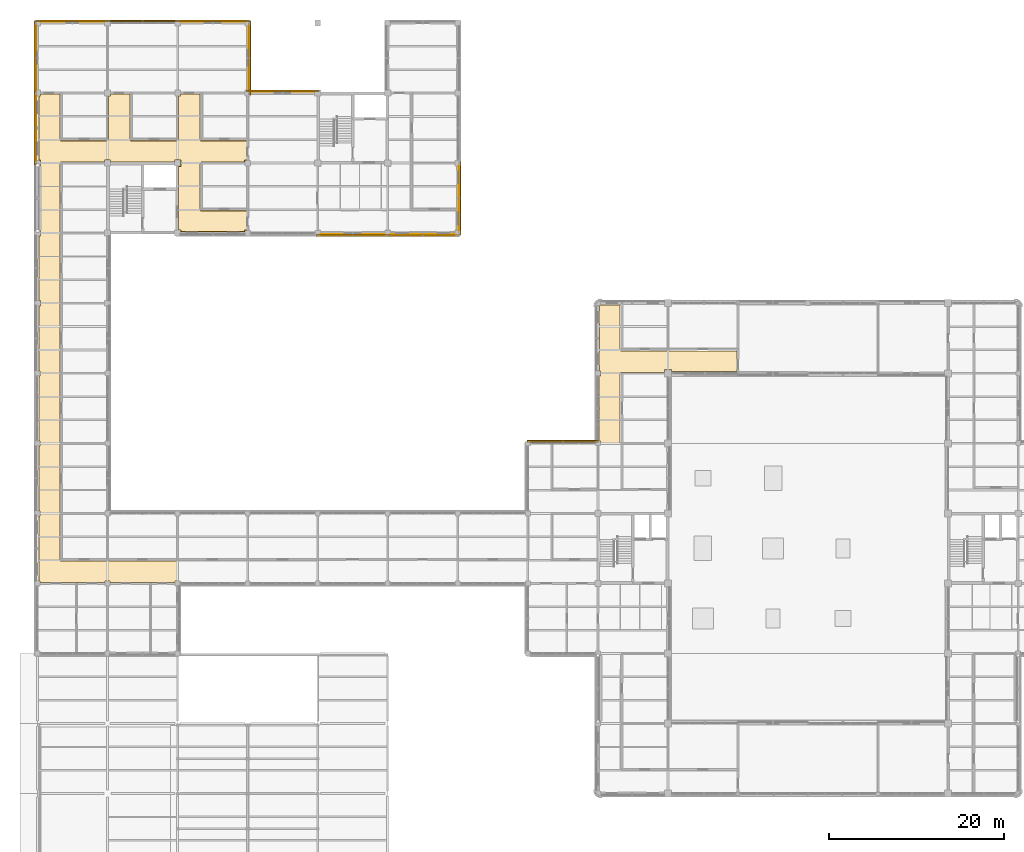
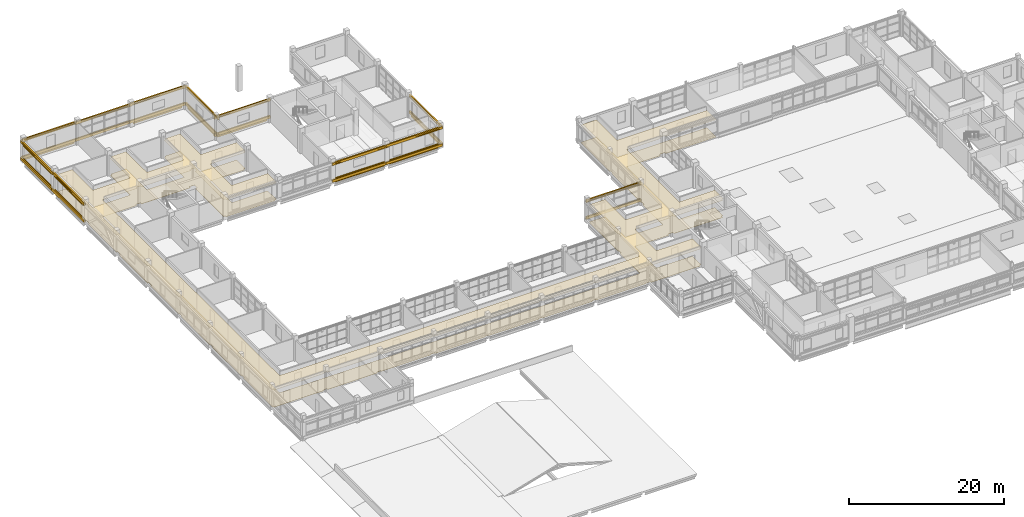
# One storey, part 100 of 107: 33 coverings, 13 shading devices.
"""IFC4 building model written with IfcOpenShell, lengths in metres."""

from ifc_helpers import new_model, si_unit, derived_unit, direction, frame, origin, origin_2d, place, context, subcontext, project, spatial, polyline, rectangle, circle, outline, extrude, material, layer, layer_set, material_profile, profile_set, type_object, element, save


model = new_model("IFC4")

# Units and contexts
model_context = context("Model", 3, precision=1e-05, world=origin(), true_north=direction((0.0, 1.0)))
body_context = subcontext(model_context, "Body", "Model", "MODEL_VIEW")
ifc_project = project(units=[si_unit("LENGTHUNIT", "METRE"), si_unit("AREAUNIT", "SQUARE_METRE"), si_unit("VOLUMEUNIT", "CUBIC_METRE"), si_unit("PLANEANGLEUNIT", "RADIAN"), si_unit("MASSUNIT", "GRAM", prefix="KILO"), derived_unit("THERMALTRANSMITTANCEUNIT", [(si_unit("MASSUNIT", "GRAM", prefix="KILO"), 1), (si_unit("TIMEUNIT", "SECOND"), -3), (si_unit("THERMODYNAMICTEMPERATUREUNIT", "KELVIN"), -1)])], contexts=[model_context])

# Site, building, storey
site_placement = place(None, origin())
site = spatial("IfcSite", under=ifc_project, at=site_placement, CompositionType="ELEMENT")
building_placement = place(site_placement, origin())
building = spatial("IfcBuilding", under=site, at=building_placement, Name="Veyamyaing Civic Hall", CompositionType="ELEMENT")
storey_placement = place(building_placement, frame((0.0, 0.0, 13.860107421875)))
storey = spatial("IfcBuildingStorey", under=building, at=storey_placement, Name="L03", CompositionType="ELEMENT", Elevation=13.860107421875)

# Coverings
ifc_material_1 = material(Name="Buff sandstone ashlar cladding", Category="masonry")
ifc_layer_1 = layer(ifc_material_1, 0.050048828125, Name="Buff sandstone ashlar cladding")
ifc_layer_set_1 = layer_set([ifc_layer_1], Name="Buff sandstone ashlar cladding")
covering_type_1 = type_object("IfcCoveringType", Name="CL-01", PredefinedType="CLADDING", material=ifc_layer_set_1)
for number, where, z_axis, x_axis, name in (
    (1, (4.0, 112.160888671875, 0.044921875), (0.0, 0.0, 1.0), (1.0, 0.0, 0.0), "Facade spandrel cladding CL-01 L03 N 1.14"),
    (2, (-0.160888671875, 108.0, 0.044921875), (0.0, 0.0, 1.0), (0.0, 1.0, 0.0), "Facade spandrel cladding CL-01 L03 W 1.14"),
    (3, (20.0, 112.160888671875, 0.044921875), (0.0, 0.0, 1.0), (1.0, 0.0, 0.0), "Facade spandrel cladding CL-01 L03 N 3.14"),
    (4, (24.160888671875, 108.0, 0.044921875), (0.0, 0.0, 1.0), (0.0, 1.0, 0.0), "Facade spandrel cladding CL-01 L03 E 3.14"),
):
    element("IfcCovering", number, at=place(storey_placement, frame(where, z_axis=z_axis, x_axis=x_axis)), inside=storey, type_object=covering_type_1, Name=name, PredefinedType="CLADDING", context=body_context, shape_type="SweptSolid", body=[
        extrude(rectangle(XDim=7.300048828125, YDim=0.050048828125, at=origin_2d()), origin(), (0.0, 0.0, 1.0), 0.75),
    ])
covering_1_placement = place(storey_placement, frame((27.987548828125, 104.160888671875, 0.044921875), z_axis=(0.0, 0.0, 1.0), x_axis=(1.0, 0.0, 0.0)))
element("IfcCovering", 5, at=covering_1_placement, inside=storey, type_object=covering_type_1, Name="Facade spandrel cladding CL-01 L03 N 4.13", PredefinedType="CLADDING", context=body_context, shape_type="SweptSolid", body=[
    extrude(rectangle(XDim=7.27490234375, YDim=0.050048828125, at=origin_2d()), origin(), (0.0, 0.0, 1.0), 0.75),
])
covering_2_placement = place(storey_placement, frame((36.0, 87.839111328125, 0.044921875), z_axis=(0.0, 0.0, 1.0), x_axis=(1.0, 0.0, 0.0)))
element("IfcCovering", 6, at=covering_2_placement, inside=storey, type_object=covering_type_1, Name="Facade spandrel cladding CL-01 L03 S 5.12", PredefinedType="CLADDING", context=body_context, shape_type="SweptSolid", body=[
    extrude(rectangle(XDim=7.300048828125, YDim=0.050048828125, at=origin_2d()), origin(), (0.0, 0.0, 1.0), 0.75),
])
ifc_material_2 = material(Name="Turquoise glazed ceramic tile cladding", Category="masonry")
ifc_layer_2 = layer(ifc_material_2, 0.034912109375, Name="Turquoise glazed ceramic tile cladding")
ifc_layer_set_2 = layer_set([ifc_layer_2], Name="Turquoise glazed ceramic tile cladding")
covering_type_2 = type_object("IfcCoveringType", Name="CL-02", PredefinedType="CLADDING", material=ifc_layer_set_2)
for number, where, z_axis, x_axis, name in (
    (7, (-0.153564453125, 100.0, 0.044921875), (0.0, 0.0, 1.0), (0.0, 1.0, 0.0), "Facade spandrel cladding CL-02 L03 W 1.13"),
    (8, (44.0, 87.846435546875, 0.044921875), (0.0, 0.0, 1.0), (1.0, 0.0, 0.0), "Facade spandrel cladding CL-02 L03 S 6.12"),
    (9, (48.153564453125, 92.0, 0.044921875), (0.0, 0.0, 1.0), (0.0, 1.0, 0.0), "Facade spandrel cladding CL-02 L03 E 6.12"),
):
    element("IfcCovering", number, at=place(storey_placement, frame(where, z_axis=z_axis, x_axis=x_axis)), inside=storey, type_object=covering_type_2, Name=name, PredefinedType="CLADDING", context=body_context, shape_type="SweptSolid", body=[
        extrude(rectangle(XDim=7.300048828125, YDim=0.034912109375, at=origin_2d()), origin(), (0.0, 0.0, 1.0), 0.75),
    ])
ifc_material_3 = material(Name="White powder-coated aluminium 6063-T6", Category="aluminium")
ifc_layer_3 = layer(ifc_material_3, 0.2099609375, Name="White powder-coated aluminium 6063-T6")
ifc_layer_set_3 = layer_set([ifc_layer_3], Name="White powder-coated aluminium 6063-T6")
covering_type_3 = type_object("IfcCoveringType", Name="CL-03", PredefinedType="CLADDING", material=ifc_layer_set_3)
for number, where, z_axis, x_axis, name in (
    (10, (-0.239990234375, 100.0, 2.987060546875), (0.0, 0.0, 1.0), (0.0, 1.0, 0.0), "Continuous white head fascia ribbon CL-03 L03 W 1.13"),
    (11, (-0.239990234375, 100.0, 0.280029296875), (0.0, 0.0, 1.0), (0.0, 1.0, 0.0), "Continuous white sill fascia ribbon CL-03 L03 W 1.13"),
    (12, (4.0, 112.239990234375, 2.98388671875), (0.0, 0.0, 1.0), (1.0, 0.0, 0.0), "Continuous white head fascia ribbon CL-03 L03 N 1.14"),
    (13, (4.0, 112.239990234375, 0.280029296875), (0.0, 0.0, 1.0), (1.0, 0.0, 0.0), "Continuous white sill fascia ribbon CL-03 L03 N 1.14"),
    (14, (-0.239990234375, 108.0, 2.919921875), (0.0, 0.0, 1.0), (0.0, 1.0, 0.0), "Continuous white head fascia ribbon CL-03 L03 W 1.14"),
    (15, (-0.239990234375, 108.0, 0.280029296875), (0.0, 0.0, 1.0), (0.0, 1.0, 0.0), "Continuous white sill fascia ribbon CL-03 L03 W 1.14"),
    (16, (12.0, 112.239990234375, 2.923828125), (0.0, 0.0, 1.0), (1.0, 0.0, 0.0), "Continuous white head fascia ribbon CL-03 L03 N 2.14"),
    (17, (12.0, 112.239990234375, 0.280029296875), (0.0, 0.0, 1.0), (1.0, 0.0, 0.0), "Continuous white sill fascia ribbon CL-03 L03 N 2.14"),
    (18, (20.0, 112.239990234375, 2.987060546875), (0.0, 0.0, 1.0), (1.0, 0.0, 0.0), "Continuous white head fascia ribbon CL-03 L03 N 3.14"),
    (19, (20.0, 112.239990234375, 0.280029296875), (0.0, 0.0, 1.0), (1.0, 0.0, 0.0), "Continuous white sill fascia ribbon CL-03 L03 N 3.14"),
    (20, (24.239990234375, 108.0, 2.987060546875), (0.0, 0.0, 1.0), (0.0, 1.0, 0.0), "Continuous white head fascia ribbon CL-03 L03 E 3.14"),
    (21, (24.239990234375, 108.0, 0.280029296875), (0.0, 0.0, 1.0), (0.0, 1.0, 0.0), "Continuous white sill fascia ribbon CL-03 L03 E 3.14"),
    (22, (28.0, 104.239990234375, 2.987060546875), (0.0, 0.0, 1.0), (1.0, 0.0, 0.0), "Continuous white head fascia ribbon CL-03 L03 N 4.13"),
    (23, (28.0, 104.239990234375, 0.280029296875), (0.0, 0.0, 1.0), (1.0, 0.0, 0.0), "Continuous white sill fascia ribbon CL-03 L03 N 4.13"),
    (24, (36.0, 87.760009765625, 2.923828125), (0.0, 0.0, 1.0), (1.0, 0.0, 0.0), "Continuous white head fascia ribbon CL-03 L03 S 5.12"),
    (25, (36.0, 87.760009765625, 0.280029296875), (0.0, 0.0, 1.0), (1.0, 0.0, 0.0), "Continuous white sill fascia ribbon CL-03 L03 S 5.12"),
    (26, (44.0, 87.760009765625, 2.987060546875), (0.0, 0.0, 1.0), (1.0, 0.0, 0.0), "Continuous white head fascia ribbon CL-03 L03 S 6.12"),
    (27, (44.0, 87.760009765625, 0.280029296875), (0.0, 0.0, 1.0), (1.0, 0.0, 0.0), "Continuous white sill fascia ribbon CL-03 L03 S 6.12"),
    (28, (48.239990234375, 92.0, 2.919921875), (0.0, 0.0, 1.0), (0.0, 1.0, 0.0), "Continuous white head fascia ribbon CL-03 L03 E 6.12"),
    (29, (48.239990234375, 92.0, 0.280029296875), (0.0, 0.0, 1.0), (0.0, 1.0, 0.0), "Continuous white sill fascia ribbon CL-03 L03 E 6.12"),
):
    element("IfcCovering", number, at=place(storey_placement, frame(where, z_axis=z_axis, x_axis=x_axis)), inside=storey, type_object=covering_type_3, Name=name, PredefinedType="CLADDING", context=body_context, shape_type="SweptSolid", body=[
        extrude(rectangle(XDim=8.360107421875, YDim=0.2099609375, at=origin_2d()), origin(), (0.0, 0.0, 1.0), 0.39990234375),
    ])
for number, where, z_axis, x_axis, name in (
    (30, (60.0, 64.239990234375, 2.923828125), (0.0, 0.0, 1.0), (1.0, 0.0, 0.0), "Continuous white head fascia ribbon CL-03 L03 N 8.8"),
    (31, (60.0, 64.239990234375, 0.280029296875), (0.0, 0.0, 1.0), (1.0, 0.0, 0.0), "Continuous white sill fascia ribbon CL-03 L03 N 8.8"),
):
    element("IfcCovering", number, at=place(storey_placement, frame(where, z_axis=z_axis, x_axis=x_axis)), inside=storey, type_object=covering_type_3, Name=name, PredefinedType="CLADDING", context=body_context, shape_type="SweptSolid", body=[
        extrude(rectangle(XDim=8.1201171875, YDim=0.2099609375, at=origin_2d()), origin(), (0.0, 0.0, 1.0), 0.39990234375),
    ])
ifc_material_4 = material(Name="Perforated acoustic gypsum ceiling board")
ifc_layer_4 = layer(ifc_material_4, 0.02490234375, Name="Perforated acoustic gypsum ceiling board")
ifc_layer_set_4 = layer_set([ifc_layer_4], Name="Perforated acoustic gypsum ceiling board")
covering_type_4 = type_object("IfcCoveringType", Name="CLG-01", PredefinedType="CEILING", material=ifc_layer_set_4)
covering_3_placement = place(storey_placement, frame((0.0, 0.0, 2.699951171875)))
element("IfcCovering", 32, at=covering_3_placement, inside=storey, type_object=covering_type_4, Name="Acoustic suspended ceiling CLG-01 L03-C01", PredefinedType="CEILING", context=body_context, shape_type="SweptSolid", body=[
    extrude(outline(polyline([(56.014404296875, 50.576904296875), (56.0419921875, 50.58837890625), (56.057373046875, 50.602294921875), (56.071533203125, 50.62890625), (56.074951171875, 50.65185546875), (56.074951171875, 55.739990234375), (56.260009765625, 55.739990234375), (56.260009765625, 56.260009765625), (56.155029296875, 56.260009765625), (56.155029296875, 63.739990234375), (56.260009765625, 63.739990234375), (56.260009765625, 63.844970703125), (58.574951171875, 63.844970703125), (58.574951171875, 58.65185546875), (58.57861328125, 58.627685546875), (58.583740234375, 58.615234375), (58.597412109375, 58.5966796875), (58.60791015625, 58.588134765625), (58.62841796875, 58.57861328125), (58.65185546875, 58.574951171875), (63.998291015625, 58.574951171875), (64.02099609375, 58.578369140625), (64.0478515625, 58.5927734375), (64.06201171875, 58.6083984375), (64.071533203125, 58.62841796875), (64.074951171875, 58.65185546875), (64.074951171875, 63.739990234375), (64.260009765625, 63.739990234375), (64.260009765625, 64.260009765625), (64.155029296875, 64.260009765625), (64.155029296875, 71.739990234375), (64.260009765625, 71.739990234375), (64.260009765625, 72.260009765625), (64.155029296875, 72.260009765625), (64.155029296875, 79.739990234375), (64.260009765625, 79.739990234375), (64.260009765625, 79.844970703125), (66.574951171875, 79.844970703125), (66.574951171875, 74.65185546875), (66.57861328125, 74.62841796875), (66.587646484375, 74.60888671875), (66.60888671875, 74.587646484375), (66.62841796875, 74.57861328125), (66.65185546875, 74.574951171875), (79.925048828125, 74.574951171875), (79.925048828125, 72.155029296875), (72.385009765625, 72.155029296875), (72.385009765625, 72.385009765625), (71.614990234375, 72.385009765625), (71.614990234375, 72.074951171875), (66.65185546875, 72.074951171875), (66.627685546875, 72.0712890625), (66.615234375, 72.06640625), (66.5966796875, 72.052490234375), (66.588134765625, 72.0419921875), (66.57861328125, 72.021728515625), (66.574951171875, 71.998291015625), (66.574951171875, 58.65185546875), (66.57861328125, 58.62841796875), (66.587890625, 58.6083984375), (66.602294921875, 58.5927734375), (66.62890625, 58.578369140625), (66.65185546875, 58.574951171875), (71.844970703125, 58.574951171875), (71.844970703125, 56.385009765625), (71.614990234375, 56.385009765625), (71.614990234375, 56.074951171875), (64.3349609375, 56.074951171875), (64.3349609375, 56.3349609375), (63.6650390625, 56.3349609375), (63.6650390625, 56.074951171875), (58.652587890625, 56.074951171875), (58.62158203125, 56.06884765625), (58.597412109375, 56.052734375), (58.581298828125, 56.028564453125), (58.574951171875, 55.99755859375), (58.574951171875, 50.65185546875), (58.57861328125, 50.62841796875), (58.588134765625, 50.60791015625), (58.5966796875, 50.597412109375), (58.615234375, 50.583740234375), (58.627685546875, 50.57861328125), (58.65185546875, 50.574951171875), (63.925048828125, 50.574951171875), (63.925048828125, 48.3349609375), (63.6650390625, 48.3349609375), (63.6650390625, 48.074951171875), (56.260009765625, 48.074951171875), (56.260009765625, 48.260009765625), (55.739990234375, 48.260009765625), (55.739990234375, 48.155029296875), (48.260009765625, 48.155029296875), (48.260009765625, 48.260009765625), (47.739990234375, 48.260009765625), (47.739990234375, 48.155029296875), (40.260009765625, 48.155029296875), (40.260009765625, 48.260009765625), (39.739990234375, 48.260009765625), (39.739990234375, 48.155029296875), (32.260009765625, 48.155029296875), (32.260009765625, 48.260009765625), (31.739990234375, 48.260009765625), (31.739990234375, 48.155029296875), (24.260009765625, 48.155029296875), (24.260009765625, 48.260009765625), (23.739990234375, 48.260009765625), (23.739990234375, 48.155029296875), (16.260009765625, 48.155029296875), (16.260009765625, 48.260009765625), (15.739990234375, 48.260009765625), (15.739990234375, 48.074951171875), (8.260009765625, 48.074951171875), (8.260009765625, 48.260009765625), (7.739990234375, 48.260009765625), (7.739990234375, 48.074951171875), (0.260009765625, 48.074951171875), (0.260009765625, 48.260009765625), (0.155029296875, 48.260009765625), (0.155029296875, 55.739990234375), (0.260009765625, 55.739990234375), (0.260009765625, 56.260009765625), (0.155029296875, 56.260009765625), (0.155029296875, 63.739990234375), (0.260009765625, 63.739990234375), (0.260009765625, 64.260009765625), (0.155029296875, 64.260009765625), (0.155029296875, 71.739990234375), (0.260009765625, 71.739990234375), (0.260009765625, 72.260009765625), (0.155029296875, 72.260009765625), (0.155029296875, 79.68994140625), (0.31005859375, 79.68994140625), (0.31005859375, 80.31005859375), (0.155029296875, 80.31005859375), (0.155029296875, 87.68994140625), (0.31005859375, 87.68994140625), (0.31005859375, 88.31005859375), (0.155029296875, 88.31005859375), (0.155029296875, 95.68994140625), (0.31005859375, 95.68994140625), (0.31005859375, 96.31005859375), (0.155029296875, 96.31005859375), (0.155029296875, 103.68994140625), (0.31005859375, 103.68994140625), (0.31005859375, 103.925048828125), (2.574951171875, 103.925048828125), (2.574951171875, 98.65185546875), (2.578369140625, 98.62890625), (2.5927734375, 98.602294921875), (2.60791015625, 98.58837890625), (2.635498046875, 98.576904296875), (7.99755859375, 98.574951171875), (8.028564453125, 98.581298828125), (8.052734375, 98.597412109375), (8.06884765625, 98.62158203125), (8.074951171875, 98.652587890625), (8.074951171875, 103.68994140625), (8.31005859375, 103.68994140625), (8.31005859375, 103.925048828125), (10.574951171875, 103.925048828125), (10.574951171875, 98.65185546875), (10.57861328125, 98.627685546875), (10.583740234375, 98.615234375), (10.597412109375, 98.5966796875), (10.60791015625, 98.588134765625), (10.62841796875, 98.57861328125), (10.65185546875, 98.574951171875), (15.998291015625, 98.574951171875), (16.021728515625, 98.57861328125), (16.04150390625, 98.587890625), (16.057373046875, 98.602294921875), (16.071533203125, 98.62890625), (16.074951171875, 98.65185546875), (16.074951171875, 103.68994140625), (16.31005859375, 103.68994140625), (16.31005859375, 103.925048828125), (18.574951171875, 103.925048828125), (18.574951171875, 98.652587890625), (18.581298828125, 98.62158203125), (18.597412109375, 98.597412109375), (18.62158203125, 98.581298828125), (18.652587890625, 98.574951171875), (23.925048828125, 98.574951171875), (23.925048828125, 96.31005859375), (23.68994140625, 96.31005859375), (23.68994140625, 96.074951171875), (18.652587890625, 96.074951171875), (18.62158203125, 96.06884765625), (18.597412109375, 96.052734375), (18.581298828125, 96.028564453125), (18.574951171875, 95.99755859375), (18.574951171875, 90.65185546875), (18.57861328125, 90.62841796875), (18.588134765625, 90.60791015625), (18.5966796875, 90.597412109375), (18.615234375, 90.583740234375), (18.627685546875, 90.57861328125), (18.65185546875, 90.574951171875), (23.925048828125, 90.574951171875), (23.925048828125, 88.31005859375), (23.68994140625, 88.31005859375), (23.68994140625, 88.155029296875), (16.3349609375, 88.155029296875), (16.3349609375, 88.3349609375), (16.074951171875, 88.3349609375), (16.074951171875, 95.6650390625), (16.3349609375, 95.6650390625), (16.3349609375, 96.3349609375), (15.6650390625, 96.3349609375), (15.6650390625, 96.074951171875), (8.3349609375, 96.074951171875), (8.3349609375, 96.3349609375), (7.6650390625, 96.3349609375), (7.6650390625, 96.074951171875), (2.65185546875, 96.074951171875), (2.62841796875, 96.071533203125), (2.6083984375, 96.06201171875), (2.59228515625, 96.04736328125), (2.581298828125, 96.029296875), (2.574951171875, 95.99755859375), (2.574951171875, 50.652587890625), (2.581298828125, 50.62158203125), (2.597412109375, 50.597412109375), (2.62158203125, 50.581298828125), (2.652587890625, 50.574951171875), (56.014404296875, 50.576904296875)])), origin(), (0.0, 0.0, 1.0), 0.02490234375),
])
ifc_material_5 = material(Name="Polished Mandalay marble and terrazzo flooring", Category="masonry")
ifc_layer_5 = layer(ifc_material_5, 0.030029296875, Name="Polished Mandalay marble and terrazzo flooring")
ifc_layer_set_5 = layer_set([ifc_layer_5], Name="Polished Mandalay marble and terrazzo flooring")
covering_type_5 = type_object("IfcCoveringType", Name="FLR-01", PredefinedType="FLOORING", material=ifc_layer_set_5)
covering_4_placement = place(storey_placement, origin())
element("IfcCovering", 33, at=covering_4_placement, inside=storey, type_object=covering_type_5, Name="Stone and terrazzo flooring FLR-01 L03-C01", PredefinedType="FLOORING", context=body_context, shape_type="SweptSolid", body=[
    extrude(outline(polyline([(56.01953125, 50.552001953125), (56.0556640625, 50.56689453125), (56.077392578125, 50.586669921875), (56.095703125, 50.62109375), (56.10009765625, 50.64990234375), (56.10009765625, 55.715087890625), (56.284912109375, 55.715087890625), (56.284912109375, 56.284912109375), (56.179931640625, 56.284912109375), (56.179931640625, 63.715087890625), (56.284912109375, 63.715087890625), (56.284912109375, 63.820068359375), (58.550048828125, 63.820068359375), (58.550048828125, 58.64990234375), (58.55419921875, 58.62109375), (58.561767578125, 58.602783203125), (58.579345703125, 58.579345703125), (58.594482421875, 58.56689453125), (58.62109375, 58.55419921875), (58.64990234375, 58.550048828125), (64.0, 58.550048828125), (64.029052734375, 58.55419921875), (64.0634765625, 58.57275390625), (64.0830078125, 58.594482421875), (64.095703125, 58.62109375), (64.10009765625, 58.64990234375), (64.10009765625, 63.715087890625), (64.284912109375, 63.715087890625), (64.284912109375, 64.284912109375), (64.179931640625, 64.284912109375), (64.179931640625, 71.715087890625), (64.284912109375, 71.715087890625), (64.284912109375, 72.284912109375), (64.179931640625, 72.284912109375), (64.179931640625, 79.715087890625), (64.284912109375, 79.715087890625), (64.284912109375, 79.820068359375), (66.550048828125, 79.820068359375), (66.550048828125, 74.64990234375), (66.55419921875, 74.62109375), (66.56689453125, 74.594482421875), (66.594482421875, 74.56689453125), (66.62109375, 74.55419921875), (66.64990234375, 74.550048828125), (79.89990234375, 74.550048828125), (79.89990234375, 72.179931640625), (72.409912109375, 72.179931640625), (72.409912109375, 72.409912109375), (71.590087890625, 72.409912109375), (71.590087890625, 72.10009765625), (66.64990234375, 72.10009765625), (66.62109375, 72.095703125), (66.602783203125, 72.088134765625), (66.579345703125, 72.07080078125), (66.56689453125, 72.0556640625), (66.55419921875, 72.029052734375), (66.550048828125, 72.0), (66.550048828125, 58.64990234375), (66.55419921875, 58.62109375), (66.56689453125, 58.594482421875), (66.586669921875, 58.57275390625), (66.62109375, 58.55419921875), (66.64990234375, 58.550048828125), (71.820068359375, 58.550048828125), (71.820068359375, 56.409912109375), (71.590087890625, 56.409912109375), (71.590087890625, 56.10009765625), (64.360107421875, 56.10009765625), (64.360107421875, 56.360107421875), (63.639892578125, 56.360107421875), (63.639892578125, 56.10009765625), (58.64990234375, 56.10009765625), (58.61181640625, 56.09228515625), (58.579345703125, 56.07080078125), (58.5576171875, 56.038330078125), (58.550048828125, 56.0), (58.550048828125, 50.64990234375), (58.55419921875, 50.62109375), (58.56689453125, 50.594482421875), (58.579345703125, 50.579345703125), (58.602783203125, 50.561767578125), (58.62109375, 50.55419921875), (58.64990234375, 50.550048828125), (63.89990234375, 50.550048828125), (63.89990234375, 48.360107421875), (63.639892578125, 48.360107421875), (63.639892578125, 48.10009765625), (56.284912109375, 48.10009765625), (56.284912109375, 48.284912109375), (55.715087890625, 48.284912109375), (55.715087890625, 48.179931640625), (48.284912109375, 48.179931640625), (48.284912109375, 48.284912109375), (47.715087890625, 48.284912109375), (47.715087890625, 48.179931640625), (40.284912109375, 48.179931640625), (40.284912109375, 48.284912109375), (39.715087890625, 48.284912109375), (39.715087890625, 48.179931640625), (32.284912109375, 48.179931640625), (32.284912109375, 48.284912109375), (31.715087890625, 48.284912109375), (31.715087890625, 48.179931640625), (24.284912109375, 48.179931640625), (24.284912109375, 48.284912109375), (23.715087890625, 48.284912109375), (23.715087890625, 48.179931640625), (16.284912109375, 48.179931640625), (16.284912109375, 48.284912109375), (15.715087890625, 48.284912109375), (15.715087890625, 48.10009765625), (8.284912109375, 48.10009765625), (8.284912109375, 48.284912109375), (7.715087890625, 48.284912109375), (7.715087890625, 48.10009765625), (0.284912109375, 48.10009765625), (0.284912109375, 48.284912109375), (0.179931640625, 48.284912109375), (0.179931640625, 55.715087890625), (0.284912109375, 55.715087890625), (0.284912109375, 56.284912109375), (0.179931640625, 56.284912109375), (0.179931640625, 63.715087890625), (0.284912109375, 63.715087890625), (0.284912109375, 64.284912109375), (0.179931640625, 64.284912109375), (0.179931640625, 71.715087890625), (0.284912109375, 71.715087890625), (0.284912109375, 72.284912109375), (0.179931640625, 72.284912109375), (0.179931640625, 79.6650390625), (0.3349609375, 79.6650390625), (0.3349609375, 80.3349609375), (0.179931640625, 80.3349609375), (0.179931640625, 87.6650390625), (0.3349609375, 87.6650390625), (0.3349609375, 88.3349609375), (0.179931640625, 88.3349609375), (0.179931640625, 95.6650390625), (0.3349609375, 95.6650390625), (0.3349609375, 96.3349609375), (0.179931640625, 96.3349609375), (0.179931640625, 103.6650390625), (0.3349609375, 103.6650390625), (0.3349609375, 103.89990234375), (2.550048828125, 103.89990234375), (2.550048828125, 98.64990234375), (2.55419921875, 98.62109375), (2.57275390625, 98.586669921875), (2.594482421875, 98.56689453125), (2.630615234375, 98.552001953125), (8.0, 98.550048828125), (8.038330078125, 98.5576171875), (8.07080078125, 98.579345703125), (8.09228515625, 98.61181640625), (8.10009765625, 98.64990234375), (8.10009765625, 103.6650390625), (8.3349609375, 103.6650390625), (8.3349609375, 103.89990234375), (10.550048828125, 103.89990234375), (10.550048828125, 98.64990234375), (10.55419921875, 98.62109375), (10.561767578125, 98.602783203125), (10.579345703125, 98.579345703125), (10.594482421875, 98.56689453125), (10.62109375, 98.55419921875), (10.64990234375, 98.550048828125), (16.0, 98.550048828125), (16.029052734375, 98.55419921875), (16.0556640625, 98.56689453125), (16.077392578125, 98.586669921875), (16.095703125, 98.62109375), (16.10009765625, 98.64990234375), (16.10009765625, 103.6650390625), (16.3349609375, 103.6650390625), (16.3349609375, 103.89990234375), (18.550048828125, 103.89990234375), (18.550048828125, 98.64990234375), (18.5576171875, 98.61181640625), (18.579345703125, 98.579345703125), (18.61181640625, 98.5576171875), (18.64990234375, 98.550048828125), (23.89990234375, 98.550048828125), (23.89990234375, 96.3349609375), (23.6650390625, 96.3349609375), (23.6650390625, 96.10009765625), (18.64990234375, 96.10009765625), (18.61181640625, 96.09228515625), (18.579345703125, 96.07080078125), (18.5576171875, 96.038330078125), (18.550048828125, 96.0), (18.550048828125, 90.64990234375), (18.55419921875, 90.62109375), (18.56689453125, 90.594482421875), (18.579345703125, 90.579345703125), (18.602783203125, 90.561767578125), (18.62109375, 90.55419921875), (18.64990234375, 90.550048828125), (23.89990234375, 90.550048828125), (23.89990234375, 88.3349609375), (23.6650390625, 88.3349609375), (23.6650390625, 88.179931640625), (16.360107421875, 88.179931640625), (16.360107421875, 88.360107421875), (16.10009765625, 88.360107421875), (16.10009765625, 95.639892578125), (16.360107421875, 95.639892578125), (16.360107421875, 96.360107421875), (15.639892578125, 96.360107421875), (15.639892578125, 96.10009765625), (8.360107421875, 96.10009765625), (8.360107421875, 96.360107421875), (7.639892578125, 96.360107421875), (7.639892578125, 96.10009765625), (2.64990234375, 96.10009765625), (2.62109375, 96.095703125), (2.594482421875, 96.0830078125), (2.57275390625, 96.0634765625), (2.5576171875, 96.038330078125), (2.550048828125, 96.0), (2.550048828125, 50.64990234375), (2.5576171875, 50.61181640625), (2.579345703125, 50.579345703125), (2.61181640625, 50.5576171875), (2.64990234375, 50.550048828125), (56.01953125, 50.552001953125)])), origin(), (0.0, 0.0, 1.0), 0.02978515625),
])

# Shading devices
ifc_material_6 = material(Name="Anodised aluminium 6063-T6", Category="aluminium")
ifc_material_profile_1 = material_profile(ifc_material_6, rectangle(XDim=0.050048828125, YDim=0.25, at=origin_2d()), Name="LOUVRE-BLADE-50X250")
ifc_profile_set_1 = profile_set([ifc_material_profile_1], Name="Anodised aluminium 6063-T6")
shading_device_type_1 = type_object("IfcShadingDeviceType", Name="LV-01", PredefinedType="JALOUSIE", material=ifc_profile_set_1)
for number, where, z_axis, x_axis, name in (
    (34, (-0.219970703125, 96.31005859375, 2.81689453125), (0.0, 1.0, 0.0), (-1.0, 0.0, 0.0), "Monsoon solar louvre LV-01 L03 W 1.13"),
    (35, (-0.219970703125, 104.31005859375, 2.75), (0.0, 1.0, 0.0), (-1.0, 0.0, 0.0), "Monsoon solar louvre LV-01 L03 W 1.14"),
):
    element("IfcShadingDevice", number, at=place(storey_placement, frame(where, z_axis=z_axis, x_axis=x_axis)), inside=storey, type_object=shading_device_type_1, Name=name, PredefinedType="JALOUSIE", context=body_context, shape_type="SweptSolid", body=[
        extrude(rectangle(XDim=0.050048828125, YDim=0.25, at=origin_2d()), origin(), (0.0, 0.0, 1.0), 7.3798828125),
    ])
ifc_material_profile_2 = material_profile(ifc_material_3, circle(Radius=0.110107421875, at=origin_2d()), Name="SHADE-TUBE-220")
ifc_profile_set_2 = profile_set([ifc_material_profile_2], Name="White powder-coated aluminium 6063-T6")
shading_device_type_2 = type_object("IfcShadingDeviceType", Name="SH-01", PredefinedType="USERDEFINED", material=ifc_profile_set_2)
shading_device_1_placement = place(storey_placement, frame((56.260009765625, 64.239990234375, 3.083984375), z_axis=(1.0, 0.0, 0.0), x_axis=(0.0, 1.0, 0.0)))
element("IfcShadingDevice", 36, at=shading_device_1_placement, inside=storey, type_object=shading_device_type_2, Name="Horizontal white sunshade ribbon SH-01 L03 N 8.8", ObjectType="SUNSHADE", PredefinedType="USERDEFINED", context=body_context, shape_type="SweptSolid", body=[
    extrude(circle(Radius=0.110107421875, at=origin_2d()), origin(), (0.0, 0.0, 1.0), 7.47998046875),
])
ifc_material_profile_3 = material_profile(ifc_material_3, circle(Radius=0.090087890625, at=origin_2d()), Name="SHADE-TUBE-180")
ifc_profile_set_3 = profile_set([ifc_material_profile_3], Name="White powder-coated aluminium 6063-T6")
shading_device_type_3 = type_object("IfcShadingDeviceType", Name="SH-02", PredefinedType="USERDEFINED", material=ifc_profile_set_3)
for number, where, z_axis, x_axis, name in (
    (37, (-0.239990234375, 96.31005859375, 3.14697265625), (0.0, 1.0, 0.0), (-1.0, 0.0, 0.0), "Horizontal white sunshade ribbon SH-02 L03 W 1.13"),
    (38, (0.31005859375, 112.239990234375, 3.143798828125), (1.0, 0.0, 0.0), (0.0, 1.0, 0.0), "Horizontal white sunshade ribbon SH-02 L03 N 1.14"),
    (39, (-0.239990234375, 104.31005859375, 3.079833984375), (0.0, 1.0, 0.0), (-1.0, 0.0, 0.0), "Horizontal white sunshade ribbon SH-02 L03 W 1.14"),
    (40, (8.31005859375, 112.239990234375, 3.083984375), (1.0, 0.0, 0.0), (0.0, 1.0, 0.0), "Horizontal white sunshade ribbon SH-02 L03 N 2.14"),
    (41, (16.31005859375, 112.239990234375, 3.14697265625), (1.0, 0.0, 0.0), (0.0, 1.0, 0.0), "Horizontal white sunshade ribbon SH-02 L03 N 3.14"),
    (42, (24.239990234375, 104.31005859375, 3.14697265625), (0.0, 1.0, 0.0), (-1.0, 0.0, 0.0), "Horizontal white sunshade ribbon SH-02 L03 E 3.14"),
):
    element("IfcShadingDevice", number, at=place(storey_placement, frame(where, z_axis=z_axis, x_axis=x_axis)), inside=storey, type_object=shading_device_type_3, Name=name, ObjectType="SUNSHADE", PredefinedType="USERDEFINED", context=body_context, shape_type="SweptSolid", body=[
        extrude(circle(Radius=0.090087890625, at=origin_2d()), origin(), (0.0, 0.0, 1.0), 7.3798828125),
    ])
shading_device_2_placement = place(storey_placement, frame((24.31005859375, 104.239990234375, 3.14697265625), z_axis=(1.0, 0.0, 0.0), x_axis=(0.0, 1.0, 0.0)))
element("IfcShadingDevice", 43, at=shading_device_2_placement, inside=storey, type_object=shading_device_type_3, Name="Horizontal white sunshade ribbon SH-02 L03 N 4.13", ObjectType="SUNSHADE", PredefinedType="USERDEFINED", context=body_context, shape_type="SweptSolid", body=[
    extrude(circle(Radius=0.090087890625, at=origin_2d()), origin(), (0.0, 0.0, 1.0), 7.35498046875),
])
for number, where, z_axis, x_axis, name in (
    (44, (32.31005859375, 87.760009765625, 3.083984375), (1.0, 0.0, 0.0), (0.0, 1.0, 0.0), "Horizontal white sunshade ribbon SH-02 L03 S 5.12"),
    (45, (40.31005859375, 87.760009765625, 3.14697265625), (1.0, 0.0, 0.0), (0.0, 1.0, 0.0), "Horizontal white sunshade ribbon SH-02 L03 S 6.12"),
    (46, (48.239990234375, 88.31005859375, 3.079833984375), (0.0, 1.0, 0.0), (-1.0, 0.0, 0.0), "Horizontal white sunshade ribbon SH-02 L03 E 6.12"),
):
    element("IfcShadingDevice", number, at=place(storey_placement, frame(where, z_axis=z_axis, x_axis=x_axis)), inside=storey, type_object=shading_device_type_3, Name=name, ObjectType="SUNSHADE", PredefinedType="USERDEFINED", context=body_context, shape_type="SweptSolid", body=[
        extrude(circle(Radius=0.090087890625, at=origin_2d()), origin(), (0.0, 0.0, 1.0), 7.3798828125),
    ])

save(model, "model.ifc")
